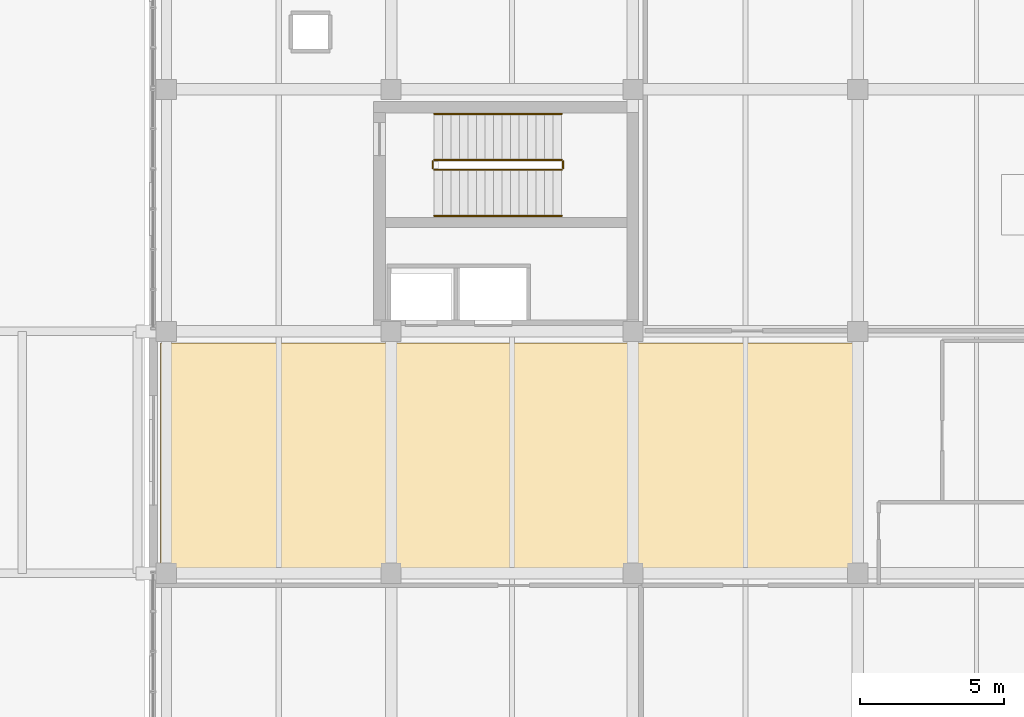
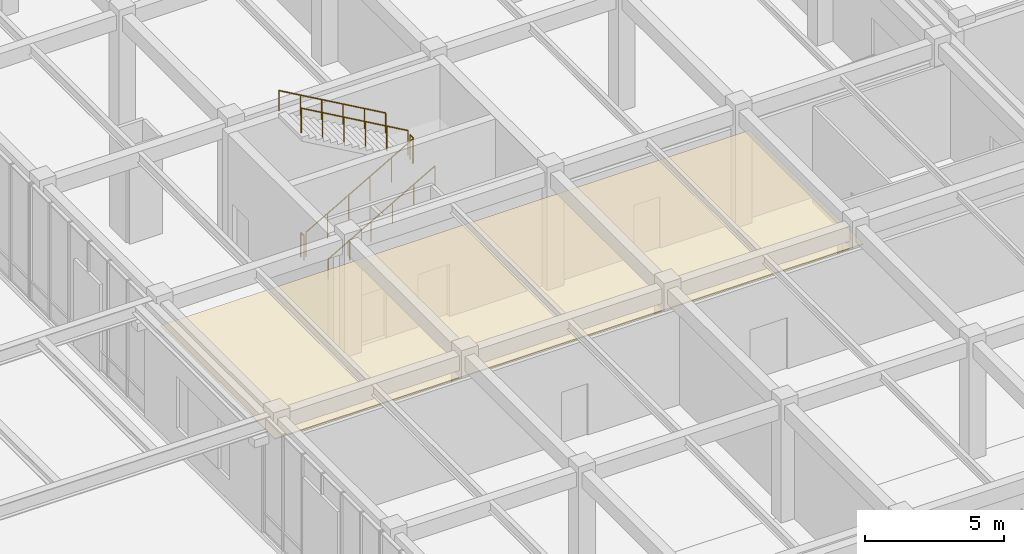
# One storey, part 115 of 122: 6 railings, 1 covering.
"""IFC4 building model written with IfcOpenShell, lengths in metres."""

from ifc_helpers import new_model, si_unit, direction, frame, origin, origin_2d, place, context, subcontext, project, spatial, polyline, circle, outline, extrude, material, layer, layer_set, type_object, element, save


model = new_model("IFC4")

# Units and contexts
model_context = context("Model", 3, precision=1e-05, world=origin(), true_north=direction((0.0, 1.0)))
body_context = subcontext(model_context, "Body", "Model", "MODEL_VIEW")
ifc_project = project(units=[si_unit("LENGTHUNIT", "METRE"), si_unit("AREAUNIT", "SQUARE_METRE"), si_unit("VOLUMEUNIT", "CUBIC_METRE"), si_unit("PLANEANGLEUNIT", "RADIAN"), si_unit("MASSUNIT", "GRAM", prefix="KILO")], contexts=[model_context])

# Site, building, storey
site_placement = place(None, origin())
site = spatial("IfcSite", under=ifc_project, at=site_placement, CompositionType="ELEMENT")
building_placement = place(site_placement, origin())
building = spatial("IfcBuilding", under=site, at=building_placement, Name="Zayran Congress Hotel", CompositionType="ELEMENT")
storey_placement = place(building_placement, origin())
storey = spatial("IfcBuildingStorey", under=building, at=storey_placement, Name="L00", CompositionType="ELEMENT", Elevation=0.0)

# Railings
ifc_material_1 = material(Name="Painted steel balustrade", Category="steel")
railing_type_1 = type_object("IfcRailingType", Name="TP-GRD-INT", PredefinedType="GUARDRAIL", material=ifc_material_1)
railing_1_placement = place(storey_placement, frame((119.10009765625, 90.010009765625, 0.168701171875)))
element("IfcRailing", 1, at=railing_1_placement, inside=storey, type_object=railing_type_1, Name="L00 ST-07 stair guard 1", PredefinedType="GUARDRAIL", context=body_context, shape_type="SweptSolid", body=[
    extrude(circle(Radius=0.02392578125, at=origin_2d()), frame((0.0, 0.0, 1.076171875), z_axis=(0.868007264643, 0.0, 0.496551496349), x_axis=(0.0, 1.0, 0.0)), (0.0, 0.0, 1.0), 5.09765625),
    extrude(circle(Radius=0.02099609375, at=origin_2d()), origin(), (0.0, 0.0, 1.0), 1.052001953125),
    extrude(circle(Radius=0.02099609375, at=origin_2d()), frame((0.885009765625, 0.0, 0.50634765625)), (0.0, 0.0, 1.0), 1.052001953125),
    extrude(circle(Radius=0.02099609375, at=origin_2d()), frame((1.77001953125, 0.0, 1.012451171875)), (0.0, 0.0, 1.0), 1.052001953125),
    extrude(circle(Radius=0.02099609375, at=origin_2d()), frame((2.65478515625, 0.0, 1.518798828125)), (0.0, 0.0, 1.0), 1.052001953125),
    extrude(circle(Radius=0.02099609375, at=origin_2d()), frame((3.539794921875, 0.0, 2.02490234375)), (0.0, 0.0, 1.0), 1.052001953125),
    extrude(circle(Radius=0.02099609375, at=origin_2d()), frame((4.4248046875, 0.0, 2.53125)), (0.0, 0.0, 1.0), 1.052001953125),
])
railing_2_placement = place(storey_placement, frame((123.574951171875, 90.06005859375, 2.699951171875)))
element("IfcRailing", 2, at=railing_2_placement, inside=storey, type_object=railing_type_1, Name="L00 ST-07 stair guard 2", PredefinedType="GUARDRAIL", context=body_context, shape_type="SweptSolid", body=[
    extrude(circle(Radius=0.02392578125, at=origin_2d()), frame((0.0, 0.0, 1.076171875), z_axis=(0.0, 1.0, 0.0), x_axis=(-1.0, 0.0, 0.0)), (0.0, 0.0, 1.0), 0.239990234375),
    extrude(circle(Radius=0.02099609375, at=origin_2d()), origin(), (0.0, 0.0, 1.0), 1.052001953125),
    extrude(circle(Radius=0.02099609375, at=origin_2d()), frame((0.0, 0.239990234375, 0.0)), (0.0, 0.0, 1.0), 1.052001953125),
])
railing_3_placement = place(storey_placement, frame((123.52490234375, 90.35009765625, 2.86865234375)))
element("IfcRailing", 3, at=railing_3_placement, inside=storey, type_object=railing_type_1, Name="L00 ST-07 stair guard 3", PredefinedType="GUARDRAIL", context=body_context, shape_type="SweptSolid", body=[
    extrude(circle(Radius=0.02392578125, at=origin_2d()), frame((0.0, 0.0, 1.076171875), z_axis=(-0.868007264643, 0.0, 0.496551496349), x_axis=(0.0, -1.0, 0.0)), (0.0, 0.0, 1.0), 5.09765625),
    extrude(circle(Radius=0.02099609375, at=origin_2d()), origin(), (0.0, 0.0, 1.0), 1.052001953125),
    extrude(circle(Radius=0.02099609375, at=origin_2d()), frame((-0.885009765625, 0.0, 0.50634765625)), (0.0, 0.0, 1.0), 1.052001953125),
    extrude(circle(Radius=0.02099609375, at=origin_2d()), frame((-1.77001953125, 0.0, 1.012451171875)), (0.0, 0.0, 1.0), 1.052001953125),
    extrude(circle(Radius=0.02099609375, at=origin_2d()), frame((-2.65478515625, 0.0, 1.518798828125)), (0.0, 0.0, 1.0), 1.052001953125),
    extrude(circle(Radius=0.02099609375, at=origin_2d()), frame((-3.539794921875, 0.0, 2.02490234375)), (0.0, 0.0, 1.0), 1.052001953125),
    extrude(circle(Radius=0.02099609375, at=origin_2d()), frame((-4.4248046875, 0.0, 2.53125)), (0.0, 0.0, 1.0), 1.052001953125),
])
railing_4_placement = place(storey_placement, frame((119.050048828125, 90.06005859375, 0.0)))
element("IfcRailing", 4, at=railing_4_placement, inside=storey, type_object=railing_type_1, Name="L00 ST-07 stair guard 4", PredefinedType="GUARDRAIL", context=body_context, shape_type="SweptSolid", body=[
    extrude(circle(Radius=0.02392578125, at=origin_2d()), frame((0.0, 0.0, 1.076171875), z_axis=(0.0, 1.0, 0.0), x_axis=(-1.0, 0.0, 0.0)), (0.0, 0.0, 1.0), 0.239990234375),
    extrude(circle(Radius=0.02099609375, at=origin_2d()), origin(), (0.0, 0.0, 1.0), 1.052001953125),
    extrude(circle(Radius=0.02099609375, at=origin_2d()), frame((0.0, 0.239990234375, 0.0)), (0.0, 0.0, 1.0), 1.052001953125),
])
ifc_material_2 = material(Name="Brushed stainless steel handrail", Category="steel")
railing_type_2 = type_object("IfcRailingType", Name="TP-HND-STR", PredefinedType="HANDRAIL", material=ifc_material_2)
railing_5_placement = place(storey_placement, frame((119.10009765625, 88.409912109375, 0.168701171875)))
element("IfcRailing", 5, at=railing_5_placement, inside=storey, type_object=railing_type_2, Name="L00 ST-07 stair handrail 1", PredefinedType="HANDRAIL", context=body_context, shape_type="SweptSolid", body=[
    extrude(circle(Radius=0.02392578125, at=origin_2d()), frame((0.0, 0.0, 0.8759765625), z_axis=(0.868007264643, 0.0, 0.496551496349), x_axis=(0.0, 1.0, 0.0)), (0.0, 0.0, 1.0), 5.09765625),
    extrude(circle(Radius=0.02099609375, at=origin_2d()), origin(), (0.0, 0.0, 1.0), 0.851806640625),
    extrude(circle(Radius=0.02099609375, at=origin_2d()), frame((0.885009765625, 0.0, 0.50634765625)), (0.0, 0.0, 1.0), 0.851806640625),
    extrude(circle(Radius=0.02099609375, at=origin_2d()), frame((1.77001953125, 0.0, 1.012451171875)), (0.0, 0.0, 1.0), 0.851806640625),
    extrude(circle(Radius=0.02099609375, at=origin_2d()), frame((2.65478515625, 0.0, 1.518798828125)), (0.0, 0.0, 1.0), 0.851806640625),
    extrude(circle(Radius=0.02099609375, at=origin_2d()), frame((3.539794921875, 0.0, 2.02490234375)), (0.0, 0.0, 1.0), 0.851806640625),
    extrude(circle(Radius=0.02099609375, at=origin_2d()), frame((4.4248046875, 0.0, 2.53125)), (0.0, 0.0, 1.0), 0.851806640625),
])
railing_6_placement = place(storey_placement, frame((123.52490234375, 91.949951171875, 2.86865234375)))
element("IfcRailing", 6, at=railing_6_placement, inside=storey, type_object=railing_type_2, Name="L00 ST-07 stair handrail 2", PredefinedType="HANDRAIL", context=body_context, shape_type="SweptSolid", body=[
    extrude(circle(Radius=0.02392578125, at=origin_2d()), frame((0.0, 0.0, 0.8759765625), z_axis=(-0.868007264643, 0.0, 0.496551496349), x_axis=(0.0, -1.0, 0.0)), (0.0, 0.0, 1.0), 5.09765625),
    extrude(circle(Radius=0.02099609375, at=origin_2d()), origin(), (0.0, 0.0, 1.0), 0.851806640625),
    extrude(circle(Radius=0.02099609375, at=origin_2d()), frame((-0.885009765625, 0.0, 0.50634765625)), (0.0, 0.0, 1.0), 0.851806640625),
    extrude(circle(Radius=0.02099609375, at=origin_2d()), frame((-1.77001953125, 0.0, 1.012451171875)), (0.0, 0.0, 1.0), 0.851806640625),
    extrude(circle(Radius=0.02099609375, at=origin_2d()), frame((-2.65478515625, 0.0, 1.518798828125)), (0.0, 0.0, 1.0), 0.851806640625),
    extrude(circle(Radius=0.02099609375, at=origin_2d()), frame((-3.539794921875, 0.0, 2.02490234375)), (0.0, 0.0, 1.0), 0.851806640625),
    extrude(circle(Radius=0.02099609375, at=origin_2d()), frame((-4.4248046875, 0.0, 2.53125)), (0.0, 0.0, 1.0), 0.851806640625),
])

# Covering
ifc_material_3 = material(Name="Perforated acoustic gypsum ceiling board", Category="gypsum")
ifc_layer = layer(ifc_material_3, 0.044921875)
ifc_layer_set = layer_set([ifc_layer], Name="Perforated acoustic gypsum ceiling board")
covering_type = type_object("IfcCoveringType", Name="TP-CLG-AC1", PredefinedType="CEILING", material=ifc_layer_set)
covering_placement = place(storey_placement, frame((0.0, 0.0, 4.10009765625)))
element("IfcCovering", 7, at=covering_placement, inside=storey, type_object=covering_type, Name="Acoustic Suspended Ceiling L00-03", PredefinedType="CEILING", context=body_context, shape_type="SweptSolid", body=[
    extrude(outline(polyline([(109.60009765625, 75.800048828125), (134.0, 75.800048828125), (134.0, 84.0), (109.60009765625, 84.0), (109.60009765625, 75.800048828125)])), origin(), (0.0, 0.0, 1.0), 0.044921875),
])

save(model, "model.ifc")
